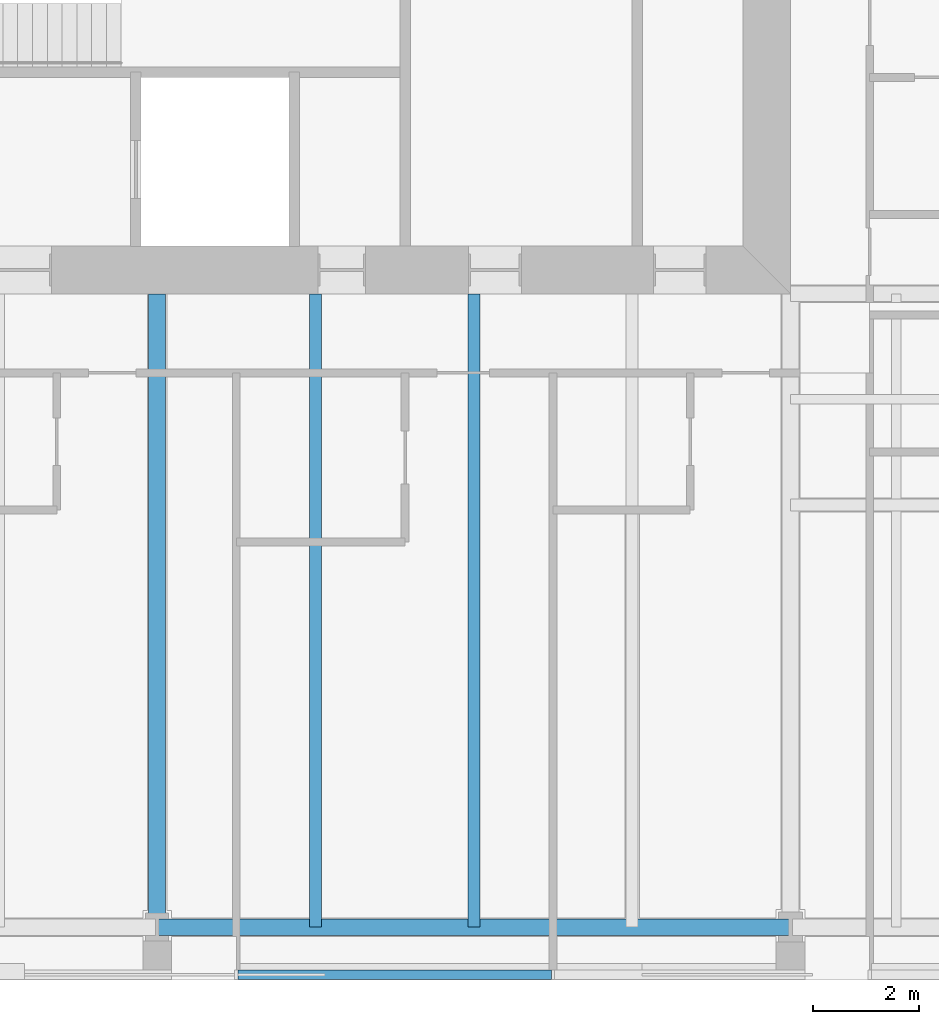
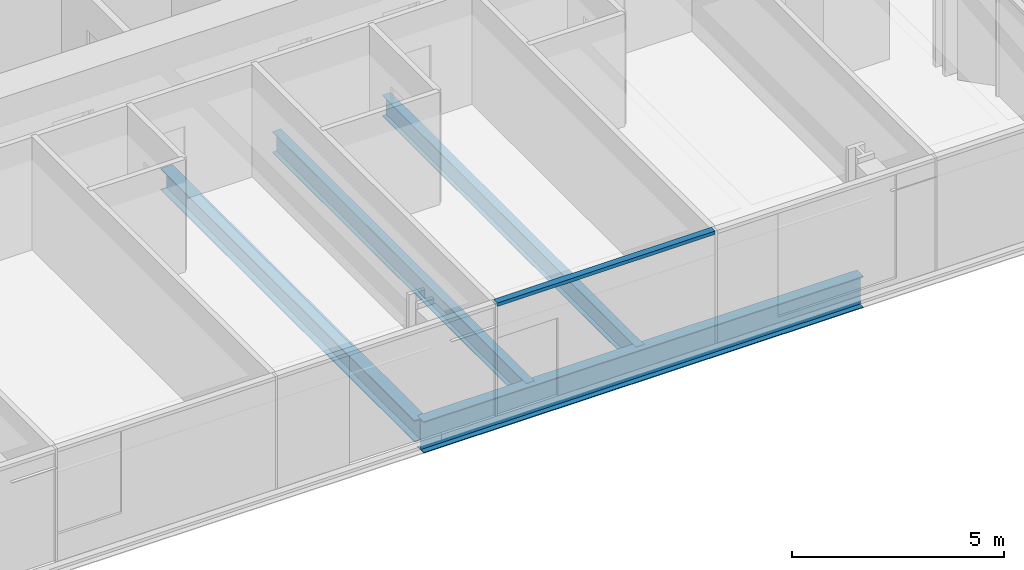
# One storey, part 3 of 20: 4 beams, 1 member, 1 element without a shape of its own.
"""IFC4 building model written with IfcOpenShell, lengths in metres."""

from ifc_helpers import new_model, si_unit, direction, frame, origin, origin_2d, place, context, subcontext, project, spatial, rectangle, i_section, extrude, material, material_profile, profile_set, type_object, element, aggregate, save


model = new_model("IFC4")

# Units and contexts
model_context = context("Model", 3, precision=1e-05, world=origin(), true_north=direction((0.0, 1.0)))
body_context = subcontext(model_context, "Body", "Model", "MODEL_VIEW")
ifc_project = project(units=[si_unit("LENGTHUNIT", "METRE"), si_unit("AREAUNIT", "SQUARE_METRE"), si_unit("VOLUMEUNIT", "CUBIC_METRE"), si_unit("PLANEANGLEUNIT", "RADIAN"), si_unit("MASSUNIT", "GRAM", prefix="KILO")], contexts=[model_context])

# Site, building, storey
site_placement = place(None, origin())
site = spatial("IfcSite", under=ifc_project, at=site_placement, CompositionType="ELEMENT")
building_placement = place(site_placement, origin())
building = spatial("IfcBuilding", under=site, at=building_placement, Name="Fenwick Lantern Interchange", CompositionType="ELEMENT")
storey_placement = place(building_placement, frame((0.0, 0.0, 245.800048828125)))
storey = spatial("IfcBuildingStorey", under=building, at=storey_placement, Name="L57", CompositionType="ELEMENT", Elevation=245.800048828125)

# Beams
ifc_material_1 = material(Name="Steel ASTM A992 Grade 50", Category="steel")
ifc_material_profile_1 = material_profile(ifc_material_1, i_section(OverallWidth=0.3046875, OverallDepth=0.911865234375, WebThickness=0.015869140625, FlangeThickness=0.02392578125, at=origin_2d()), Name="W36X150")
ifc_profile_set_1 = profile_set([ifc_material_profile_1], Name="Steel ASTM A992 Grade 50")
beam_type_1 = type_object("IfcBeamType", Name="EDGE BEAM W36X150", PredefinedType="SPANDREL", material=ifc_profile_set_1)
beam_1_placement = place(storey_placement, frame((25.0, 1.0, -0.60595703125), z_axis=(1.0, 0.0, 0.0), x_axis=(0.0, 1.0, 0.0)))
element("IfcBeam", 1, at=beam_1_placement, inside=storey, type_object=beam_type_1, Name="L57/FR/S/EB3", PredefinedType="SPANDREL", context=body_context, shape_type="SweptSolid", body=[
    extrude(i_section(OverallWidth=0.3046875, OverallDepth=0.911865234375, WebThickness=0.015869140625, FlangeThickness=0.02392578125, at=origin_2d()), origin(), (0.0, 0.0, 1.0), 12.0),
])
ifc_material_profile_2 = material_profile(ifc_material_1, i_section(OverallWidth=0.22900390625, OverallDepth=0.612060546875, WebThickness=0.011962890625, FlangeThickness=0.01953125, at=origin_2d()), Name="W24X84")
ifc_profile_set_2 = profile_set([ifc_material_profile_2], Name="Steel ASTM A992 Grade 50")
beam_type_2 = type_object("IfcBeamType", Name="FLOOR BEAM W24X84", PredefinedType="BEAM", material=ifc_profile_set_2)
for number, where, z_axis, x_axis, name in (
    (2, (28.0, 1.0, -0.4560546875), (0.0, 1.0, 0.0), (-1.0, 0.0, 0.0), "L57/FR/S/R06"),
    (3, (31.0, 1.0, -0.4560546875), (0.0, 1.0, 0.0), (-1.0, 0.0, 0.0), "L57/FR/S/R07"),
):
    element("IfcBeam", number, at=place(storey_placement, frame(where, z_axis=z_axis, x_axis=x_axis)), inside=storey, type_object=beam_type_2, Name=name, PredefinedType="BEAM", context=body_context, shape_type="SweptSolid", body=[
        extrude(i_section(OverallWidth=0.22900390625, OverallDepth=0.612060546875, WebThickness=0.011962890625, FlangeThickness=0.01953125, at=origin_2d()), origin(), (0.0, 0.0, 1.0), 12.0),
    ])

# Curtain wall, member
ifc_material_2 = material(Name="Aluminium curtain wall frame", Category="aluminium")
curtain_wall_type = type_object("IfcCurtainWallType", Name="HOTEL CURTAIN WALL", PredefinedType="USERDEFINED", material=ifc_material_2)
curtain_wall_placement = place(storey_placement, origin())
curtain_wall = element("IfcCurtainWall", 4, at=curtain_wall_placement, inside=storey, type_object=curtain_wall_type, Name="Hotel curtain wall 01", ObjectType="HOTEL CURTAIN WALL", PredefinedType="USERDEFINED")
ifc_material_3 = material(Name="Aluminium extrusion", Category="aluminium")
ifc_material_profile_3 = material_profile(ifc_material_3, rectangle(XDim=0.179931640625, YDim=0.10009765625, at=origin_2d()), Name="HOTEL CURTAIN WALL TRANSOM 100 X 180")
ifc_profile_set_3 = profile_set([ifc_material_profile_3], Name="Aluminium extrusion")
member_type = type_object("IfcMemberType", Name="HOTEL CURTAIN WALL TRANSOM 100 X 180", PredefinedType="MULLION", material=ifc_profile_set_3)
member_placement = place(storey_placement, frame((26.530029296875, 0.10009765625, 3.199951171875), z_axis=(1.0, 0.0, 0.0), x_axis=(0.0, 1.0, 0.0)))
member = element("IfcMember", 5, at=member_placement, type_object=member_type, Name="L57/CW/01/T04", PredefinedType="MULLION", context=body_context, shape_type="SweptSolid", body=[
    extrude(rectangle(XDim=0.179931640625, YDim=0.10009765625, at=origin_2d()), origin(), (0.0, 0.0, 1.0), 5.93994140625),
])
aggregate(curtain_wall, [member])

# Beam
ifc_material_profile_4 = material_profile(ifc_material_1, i_section(OverallWidth=0.32763671875, OverallDepth=0.622314453125, WebThickness=0.015380859375, FlangeThickness=0.0244140625, at=origin_2d()), Name="W24X131")
ifc_profile_set_4 = profile_set([ifc_material_profile_4], Name="Steel ASTM A992 Grade 50")
beam_type_3 = type_object("IfcBeamType", Name="MOMENT-CONNECTED GIRDER W24X131", PredefinedType="BEAM", material=ifc_profile_set_4)
beam_2_placement = place(storey_placement, frame((25.0, 1.0, -0.461181640625), z_axis=(0.0, 1.0, 0.0), x_axis=(-1.0, 0.0, 0.0)))
element("IfcBeam", 6, at=beam_2_placement, inside=storey, type_object=beam_type_3, Name="L57/FR/S/R05", PredefinedType="BEAM", context=body_context, shape_type="SweptSolid", body=[
    extrude(i_section(OverallWidth=0.32763671875, OverallDepth=0.622314453125, WebThickness=0.015380859375, FlangeThickness=0.0244140625, at=origin_2d()), origin(), (0.0, 0.0, 1.0), 12.0),
])

save(model, "model.ifc")
